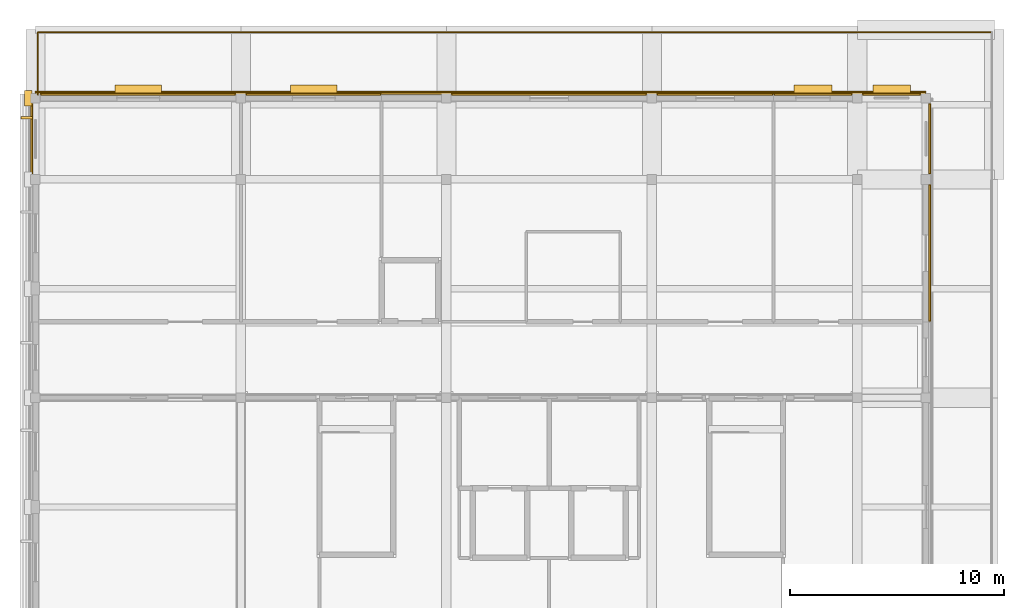
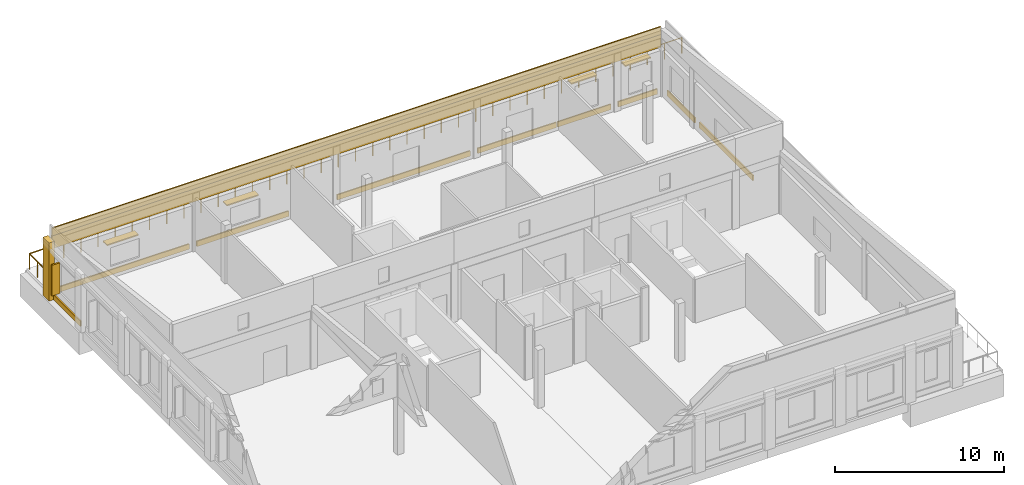
# One storey, part 8 of 8: 12 coverings, 5 shading devices, 2 railings.
"""IFC4 building model written with IfcOpenShell, lengths in metres."""

from ifc_helpers import new_model, si_unit, direction, frame, origin, origin_2d, place, context, subcontext, project, spatial, rectangle, circle, extrude, material, layer, layer_set, type_object, element, save


model = new_model("IFC4")

# Units and contexts
model_context = context("Model", 3, precision=1e-05, world=origin(), true_north=direction((0.0, 1.0)))
body_context = subcontext(model_context, "Body", "Model", "MODEL_VIEW")
ifc_project = project(units=[si_unit("LENGTHUNIT", "METRE"), si_unit("AREAUNIT", "SQUARE_METRE"), si_unit("VOLUMEUNIT", "CUBIC_METRE"), si_unit("PLANEANGLEUNIT", "RADIAN"), si_unit("MASSUNIT", "GRAM", prefix="KILO")], contexts=[model_context])

# Site, building, storey
site_placement = place(None, origin())
site = spatial("IfcSite", under=ifc_project, at=site_placement, CompositionType="ELEMENT")
building_placement = place(site_placement, origin())
building = spatial("IfcBuilding", under=site, at=building_placement, Name="Vondelvale Polytechnic", CompositionType="ELEMENT")
storey_placement = place(building_placement, frame((0.0, 0.0, 30.60009765625)))
storey = spatial("IfcBuildingStorey", under=building, at=storey_placement, Name="L07", CompositionType="ELEMENT", Elevation=30.60009765625)

# Coverings
ifc_material_1 = material(Name="Amsterdam School iron-spot clinker clay brickwork", Category="masonry")
ifc_layer_1 = layer(ifc_material_1, 0.090087890625)
ifc_layer_set_1 = layer_set([ifc_layer_1], Name="COV-BRICK-RELIEF")
covering_type = type_object("IfcCoveringType", Name="COV-BRICK-RELIEF", PredefinedType="CLADDING", material=ifc_layer_set_1)
covering_1_placement = place(storey_placement, frame((20.800048828125, 34.6650390625, 3.239990234375), z_axis=(0.0, 0.0, 1.0), x_axis=(1.0, 0.0, 0.0)))
element("IfcCovering", 1, at=covering_1_placement, inside=storey, type_object=covering_type, Name="L07 exterior masonry spandrel band", PredefinedType="CLADDING", context=body_context, shape_type="SweptSolid", body=[
    extrude(rectangle(XDim=41.60009765625, YDim=0.090087890625, at=origin_2d()), origin(), (0.0, 0.0, 1.0), 0.9599609375),
])
covering_2_placement = place(storey_placement, frame((-0.180908203125, 32.5, 0.0), z_axis=(0.0, 0.0, 1.0), x_axis=(0.0, 1.0, 0.0)))
element("IfcCovering", 2, at=covering_2_placement, inside=storey, type_object=covering_type, Name="L07 exterior corbelled masonry relief band", PredefinedType="CLADDING", context=body_context, shape_type="SweptSolid", body=[
    extrude(rectangle(XDim=3.2880859375, YDim=0.090087890625, at=origin_2d()), origin(), (0.0, 0.0, 1.0), 0.3798828125),
])
covering_3_placement = place(storey_placement, frame((41.781005859375, 27.162109375, 0.0), z_axis=(0.0, 0.0, 1.0), x_axis=(0.0, -1.0, 0.0)))
element("IfcCovering", 3, at=covering_3_placement, inside=storey, type_object=covering_type, Name="L07 exterior corbelled masonry relief band", PredefinedType="CLADDING", context=body_context, shape_type="SweptSolid", body=[
    extrude(rectangle(XDim=6.364013671875, YDim=0.090087890625, at=origin_2d()), origin(), (0.0, 0.0, 1.0), 0.3798828125),
])
covering_4_placement = place(storey_placement, frame((41.781005859375, 32.5, 0.0), z_axis=(0.0, 0.0, 1.0), x_axis=(0.0, -1.0, 0.0)))
element("IfcCovering", 4, at=covering_4_placement, inside=storey, type_object=covering_type, Name="L07 exterior corbelled masonry relief band", PredefinedType="CLADDING", context=body_context, shape_type="SweptSolid", body=[
    extrude(rectangle(XDim=3.2880859375, YDim=0.090087890625, at=origin_2d()), origin(), (0.0, 0.0, 1.0), 0.3798828125),
])
covering_5_placement = place(storey_placement, frame((4.800048828125, 34.5810546875, 0.0), z_axis=(0.0, 0.0, 1.0), x_axis=(1.0, 0.0, 0.0)))
element("IfcCovering", 5, at=covering_5_placement, inside=storey, type_object=covering_type, Name="L07 exterior corbelled masonry relief band", PredefinedType="CLADDING", context=body_context, shape_type="SweptSolid", body=[
    extrude(rectangle(XDim=9.087890625, YDim=0.090087890625, at=origin_2d()), origin(), (0.0, 0.0, 1.0), 0.3798828125),
])
covering_6_placement = place(storey_placement, frame((13.00048828125, 34.5810546875, 0.0), z_axis=(0.0, 0.0, 1.0), x_axis=(1.0, 0.0, 0.0)))
element("IfcCovering", 6, at=covering_6_placement, inside=storey, type_object=covering_type, Name="L07 exterior corbelled masonry relief band", PredefinedType="CLADDING", context=body_context, shape_type="SweptSolid", body=[
    extrude(rectangle(XDim=6.2890625, YDim=0.090087890625, at=origin_2d()), origin(), (0.0, 0.0, 1.0), 0.3798828125),
])
covering_7_placement = place(storey_placement, frame((24.0, 34.5810546875, 0.0), z_axis=(0.0, 0.0, 1.0), x_axis=(1.0, 0.0, 0.0)))
element("IfcCovering", 7, at=covering_7_placement, inside=storey, type_object=covering_type, Name="L07 exterior corbelled masonry relief band", PredefinedType="CLADDING", context=body_context, shape_type="SweptSolid", body=[
    extrude(rectangle(XDim=9.087890625, YDim=0.090087890625, at=origin_2d()), origin(), (0.0, 0.0, 1.0), 0.3798828125),
])
covering_8_placement = place(storey_placement, frame((31.75048828125, 34.5810546875, 0.0), z_axis=(0.0, 0.0, 1.0), x_axis=(1.0, 0.0, 0.0)))
element("IfcCovering", 8, at=covering_8_placement, inside=storey, type_object=covering_type, Name="L07 exterior corbelled masonry relief band", PredefinedType="CLADDING", context=body_context, shape_type="SweptSolid", body=[
    extrude(rectangle(XDim=5.388916015625, YDim=0.090087890625, at=origin_2d()), origin(), (0.0, 0.0, 1.0), 0.3798828125),
])
covering_9_placement = place(storey_placement, frame((36.324462890625, 34.5810546875, 0.0), z_axis=(0.0, 0.0, 1.0), x_axis=(1.0, 0.0, 0.0)))
element("IfcCovering", 9, at=covering_9_placement, inside=storey, type_object=covering_type, Name="L07 exterior corbelled masonry relief band", PredefinedType="CLADDING", context=body_context, shape_type="SweptSolid", body=[
    extrude(rectangle(XDim=3.638916015625, YDim=0.090087890625, at=origin_2d()), origin(), (0.0, 0.0, 1.0), 0.3798828125),
])
covering_10_placement = place(storey_placement, frame((40.0, 34.5810546875, 0.0), z_axis=(0.0, 0.0, 1.0), x_axis=(1.0, 0.0, 0.0)))
element("IfcCovering", 10, at=covering_10_placement, inside=storey, type_object=covering_type, Name="L07 exterior corbelled masonry relief band", PredefinedType="CLADDING", context=body_context, shape_type="SweptSolid", body=[
    extrude(rectangle(XDim=2.68798828125, YDim=0.090087890625, at=origin_2d()), origin(), (0.0, 0.0, 1.0), 0.3798828125),
])
covering_11_placement = place(storey_placement, frame((20.800048828125, 34.625, 4.19970703125), z_axis=(0.0, 0.0, 1.0), x_axis=(1.0, 0.0, 0.0)))
element("IfcCovering", 11, at=covering_11_placement, inside=storey, type_object=covering_type, Name="L07 exterior masonry spandrel band", PredefinedType="CLADDING", context=body_context, shape_type="SweptSolid", body=[
    extrude(rectangle(XDim=41.60009765625, YDim=0.090087890625, at=origin_2d()), origin(), (0.0, 0.0, 1.0), 0.550048828125),
])
covering_12_placement = place(storey_placement, frame((-0.340087890625, 34.39990234375, 0.0), z_axis=(0.0, 0.0, 1.0), x_axis=(1.0, 0.0, 0.0)))
element("IfcCovering", 12, at=covering_12_placement, inside=storey, type_object=covering_type, Name="L07 Classical street pilaster", PredefinedType="CLADDING", context=body_context, shape_type="SweptSolid", body=[
    extrude(rectangle(XDim=0.360107421875, YDim=0.719970703125, at=origin_2d()), origin(), (0.0, 0.0, 1.0), 4.199951171875),
])

# Railings
ifc_material_2 = material(Name="Brushed architectural stainless and zinc-coated metal")
ifc_layer_2 = layer(ifc_material_2, 0.070068359375)
ifc_layer_set_2 = layer_set([ifc_layer_2], Name="RL-TERRACE-1150")
railing_type = type_object("IfcRailingType", Name="RL-TERRACE-1150", PredefinedType="BALUSTRADE", material=ifc_layer_set_2)
railing_1_placement = place(storey_placement, frame((44.679931640625, 37.47998046875, 0.0)))
element("IfcRailing", 13, at=railing_1_placement, inside=storey, type_object=railing_type, Name="L07 courtyard terrace guardrail", PredefinedType="BALUSTRADE", context=body_context, shape_type="SweptSolid", body=[
    extrude(circle(Radius=0.02392578125, at=origin_2d()), frame((0.0, 0.0, 1.1259765625), z_axis=(-1.0, 0.0, 0.0), x_axis=(0.0, -1.0, 0.0)), (0.0, 0.0, 1.0), 44.559814453125),
    extrude(circle(Radius=0.02099609375, at=origin_2d()), origin(), (0.0, 0.0, 1.0), 1.101806640625),
    extrude(circle(Radius=0.02099609375, at=origin_2d()), frame((-1.172607421875, 0.0, 0.0)), (0.0, 0.0, 1.0), 1.101806640625),
    extrude(circle(Radius=0.02099609375, at=origin_2d()), frame((-2.34521484375, 0.0, 0.0)), (0.0, 0.0, 1.0), 1.101806640625),
    extrude(circle(Radius=0.02099609375, at=origin_2d()), frame((-3.517822265625, 0.0, 0.0)), (0.0, 0.0, 1.0), 1.101806640625),
    extrude(circle(Radius=0.02099609375, at=origin_2d()), frame((-4.6904296875, 0.0, 0.0)), (0.0, 0.0, 1.0), 1.101806640625),
    extrude(circle(Radius=0.02099609375, at=origin_2d()), frame((-5.863037109375, 0.0, 0.0)), (0.0, 0.0, 1.0), 1.101806640625),
    extrude(circle(Radius=0.02099609375, at=origin_2d()), frame((-7.03564453125, 0.0, 0.0)), (0.0, 0.0, 1.0), 1.101806640625),
    extrude(circle(Radius=0.02099609375, at=origin_2d()), frame((-8.20849609375, 0.0, 0.0)), (0.0, 0.0, 1.0), 1.101806640625),
    extrude(circle(Radius=0.02099609375, at=origin_2d()), frame((-9.381103515625, 0.0, 0.0)), (0.0, 0.0, 1.0), 1.101806640625),
    extrude(circle(Radius=0.02099609375, at=origin_2d()), frame((-10.5537109375, 0.0, 0.0)), (0.0, 0.0, 1.0), 1.101806640625),
    extrude(circle(Radius=0.02099609375, at=origin_2d()), frame((-11.726318359375, 0.0, 0.0)), (0.0, 0.0, 1.0), 1.101806640625),
    extrude(circle(Radius=0.02099609375, at=origin_2d()), frame((-12.89892578125, 0.0, 0.0)), (0.0, 0.0, 1.0), 1.101806640625),
    extrude(circle(Radius=0.02099609375, at=origin_2d()), frame((-14.071533203125, 0.0, 0.0)), (0.0, 0.0, 1.0), 1.101806640625),
    extrude(circle(Radius=0.02099609375, at=origin_2d()), frame((-15.244140625, 0.0, 0.0)), (0.0, 0.0, 1.0), 1.101806640625),
    extrude(circle(Radius=0.02099609375, at=origin_2d()), frame((-16.416748046875, 0.0, 0.0)), (0.0, 0.0, 1.0), 1.101806640625),
    extrude(circle(Radius=0.02099609375, at=origin_2d()), frame((-17.58935546875, 0.0, 0.0)), (0.0, 0.0, 1.0), 1.101806640625),
    extrude(circle(Radius=0.02099609375, at=origin_2d()), frame((-18.761962890625, 0.0, 0.0)), (0.0, 0.0, 1.0), 1.101806640625),
    extrude(circle(Radius=0.02099609375, at=origin_2d()), frame((-19.9345703125, 0.0, 0.0)), (0.0, 0.0, 1.0), 1.101806640625),
    extrude(circle(Radius=0.02099609375, at=origin_2d()), frame((-21.107177734375, 0.0, 0.0)), (0.0, 0.0, 1.0), 1.101806640625),
    extrude(circle(Radius=0.02099609375, at=origin_2d()), frame((-22.27978515625, 0.0, 0.0)), (0.0, 0.0, 1.0), 1.101806640625),
    extrude(circle(Radius=0.02099609375, at=origin_2d()), frame((-23.45263671875, 0.0, 0.0)), (0.0, 0.0, 1.0), 1.101806640625),
    extrude(circle(Radius=0.02099609375, at=origin_2d()), frame((-24.625244140625, 0.0, 0.0)), (0.0, 0.0, 1.0), 1.101806640625),
    extrude(circle(Radius=0.02099609375, at=origin_2d()), frame((-25.7978515625, 0.0, 0.0)), (0.0, 0.0, 1.0), 1.101806640625),
    extrude(circle(Radius=0.02099609375, at=origin_2d()), frame((-26.970458984375, 0.0, 0.0)), (0.0, 0.0, 1.0), 1.101806640625),
    extrude(circle(Radius=0.02099609375, at=origin_2d()), frame((-28.14306640625, 0.0, 0.0)), (0.0, 0.0, 1.0), 1.101806640625),
    extrude(circle(Radius=0.02099609375, at=origin_2d()), frame((-29.315673828125, 0.0, 0.0)), (0.0, 0.0, 1.0), 1.101806640625),
    extrude(circle(Radius=0.02099609375, at=origin_2d()), frame((-30.48828125, 0.0, 0.0)), (0.0, 0.0, 1.0), 1.101806640625),
    extrude(circle(Radius=0.02099609375, at=origin_2d()), frame((-31.660888671875, 0.0, 0.0)), (0.0, 0.0, 1.0), 1.101806640625),
    extrude(circle(Radius=0.02099609375, at=origin_2d()), frame((-32.83349609375, 0.0, 0.0)), (0.0, 0.0, 1.0), 1.101806640625),
    extrude(circle(Radius=0.02099609375, at=origin_2d()), frame((-34.006103515625, 0.0, 0.0)), (0.0, 0.0, 1.0), 1.101806640625),
    extrude(circle(Radius=0.02099609375, at=origin_2d()), frame((-35.1787109375, 0.0, 0.0)), (0.0, 0.0, 1.0), 1.101806640625),
    extrude(circle(Radius=0.02099609375, at=origin_2d()), frame((-36.351318359375, 0.0, 0.0)), (0.0, 0.0, 1.0), 1.101806640625),
    extrude(circle(Radius=0.02099609375, at=origin_2d()), frame((-37.524169921875, 0.0, 0.0)), (0.0, 0.0, 1.0), 1.101806640625),
    extrude(circle(Radius=0.02099609375, at=origin_2d()), frame((-38.69677734375, 0.0, 0.0)), (0.0, 0.0, 1.0), 1.101806640625),
    extrude(circle(Radius=0.02099609375, at=origin_2d()), frame((-39.869384765625, 0.0, 0.0)), (0.0, 0.0, 1.0), 1.101806640625),
    extrude(circle(Radius=0.02099609375, at=origin_2d()), frame((-41.0419921875, 0.0, 0.0)), (0.0, 0.0, 1.0), 1.101806640625),
    extrude(circle(Radius=0.02099609375, at=origin_2d()), frame((-42.214599609375, 0.0, 0.0)), (0.0, 0.0, 1.0), 1.101806640625),
    extrude(circle(Radius=0.02099609375, at=origin_2d()), frame((-43.38720703125, 0.0, 0.0)), (0.0, 0.0, 1.0), 1.101806640625),
    extrude(circle(Radius=0.02099609375, at=origin_2d()), frame((-44.559814453125, 0.0, 0.0)), (0.0, 0.0, 1.0), 1.101806640625),
])
railing_2_placement = place(storey_placement, frame((0.1201171875, 37.47998046875, 0.0)))
element("IfcRailing", 14, at=railing_2_placement, inside=storey, type_object=railing_type, Name="L07 courtyard terrace guardrail", PredefinedType="BALUSTRADE", context=body_context, shape_type="SweptSolid", body=[
    extrude(circle(Radius=0.02392578125, at=origin_2d()), frame((0.0, 0.0, 1.1259765625), z_axis=(0.0, -1.0, 0.0), x_axis=(1.0, 0.0, 0.0)), (0.0, 0.0, 1.0), 2.929931640625),
    extrude(circle(Radius=0.02099609375, at=origin_2d()), origin(), (0.0, 0.0, 1.0), 1.101806640625),
    extrude(circle(Radius=0.02099609375, at=origin_2d()), frame((0.0, -0.9765625, 0.0)), (0.0, 0.0, 1.0), 1.101806640625),
    extrude(circle(Radius=0.02099609375, at=origin_2d()), frame((0.0, -1.953369140625, 0.0)), (0.0, 0.0, 1.0), 1.101806640625),
    extrude(circle(Radius=0.02099609375, at=origin_2d()), frame((0.0, -2.929931640625, 0.0)), (0.0, 0.0, 1.0), 1.101806640625),
])

# Shading devices
ifc_material_3 = material(Name="Anodised extruded aluminium 6063-T6", Category="aluminium")
shading_device_type_1 = type_object("IfcShadingDeviceType", Name="SHD-BRONZE-LOUVRE", PredefinedType="SHUTTER", material=ifc_material_3)
for number, where, z_axis, x_axis, name in (
    (15, (4.800048828125, 34.764892578125, 2.20751953125), (0.0, 0.0, 1.0), (1.0, 0.0, 0.0), "L07 horizontal bronze sun-louvre overhang"),
    (16, (13.00048828125, 34.764892578125, 2.20751953125), (0.0, 0.0, 1.0), (1.0, 0.0, 0.0), "L07 horizontal bronze sun-louvre overhang"),
):
    element("IfcShadingDevice", number, at=place(storey_placement, frame(where, z_axis=z_axis, x_axis=x_axis)), inside=storey, type_object=shading_device_type_1, Name=name, PredefinedType="SHUTTER", context=body_context, shape_type="SweptSolid", body=[
        extrude(rectangle(XDim=2.159912109375, YDim=0.47998046875, at=origin_2d()), origin(), (0.0, 0.0, 1.0), 0.0849609375),
    ])
for number, where, z_axis, x_axis, name in (
    (17, (36.324462890625, 34.764892578125, 2.75732421875), (0.0, 0.0, 1.0), (1.0, 0.0, 0.0), "L07 horizontal bronze sun-louvre overhang"),
    (18, (40.0, 34.764892578125, 2.75732421875), (0.0, 0.0, 1.0), (1.0, 0.0, 0.0), "L07 horizontal bronze sun-louvre overhang"),
):
    element("IfcShadingDevice", number, at=place(storey_placement, frame(where, z_axis=z_axis, x_axis=x_axis)), inside=storey, type_object=shading_device_type_1, Name=name, PredefinedType="SHUTTER", context=body_context, shape_type="SweptSolid", body=[
        extrude(rectangle(XDim=1.760009765625, YDim=0.47998046875, at=origin_2d()), origin(), (0.0, 0.0, 1.0), 0.0849609375),
    ])
ifc_material_4 = material(Name="Kiln-fired architectural terracotta", Category="masonry")
shading_device_type_2 = type_object("IfcShadingDeviceType", Name="SHD-TERRA-FIN-550", PredefinedType="JALOUSIE", material=ifc_material_4)
shading_device_placement = place(storey_placement, frame((-0.39990234375, 33.489990234375, 0.7900390625), z_axis=(0.0, 0.0, 1.0), x_axis=(0.0, 1.0, 0.0)))
element("IfcShadingDevice", 19, at=shading_device_placement, inside=storey, type_object=shading_device_type_2, Name="L07 vertical terracotta solar fin", PredefinedType="JALOUSIE", context=body_context, shape_type="SweptSolid", body=[
    extrude(rectangle(XDim=0.110107421875, YDim=0.550048828125, at=origin_2d()), origin(), (0.0, 0.0, 1.0), 2.219970703125),
])

save(model, "model.ifc")
